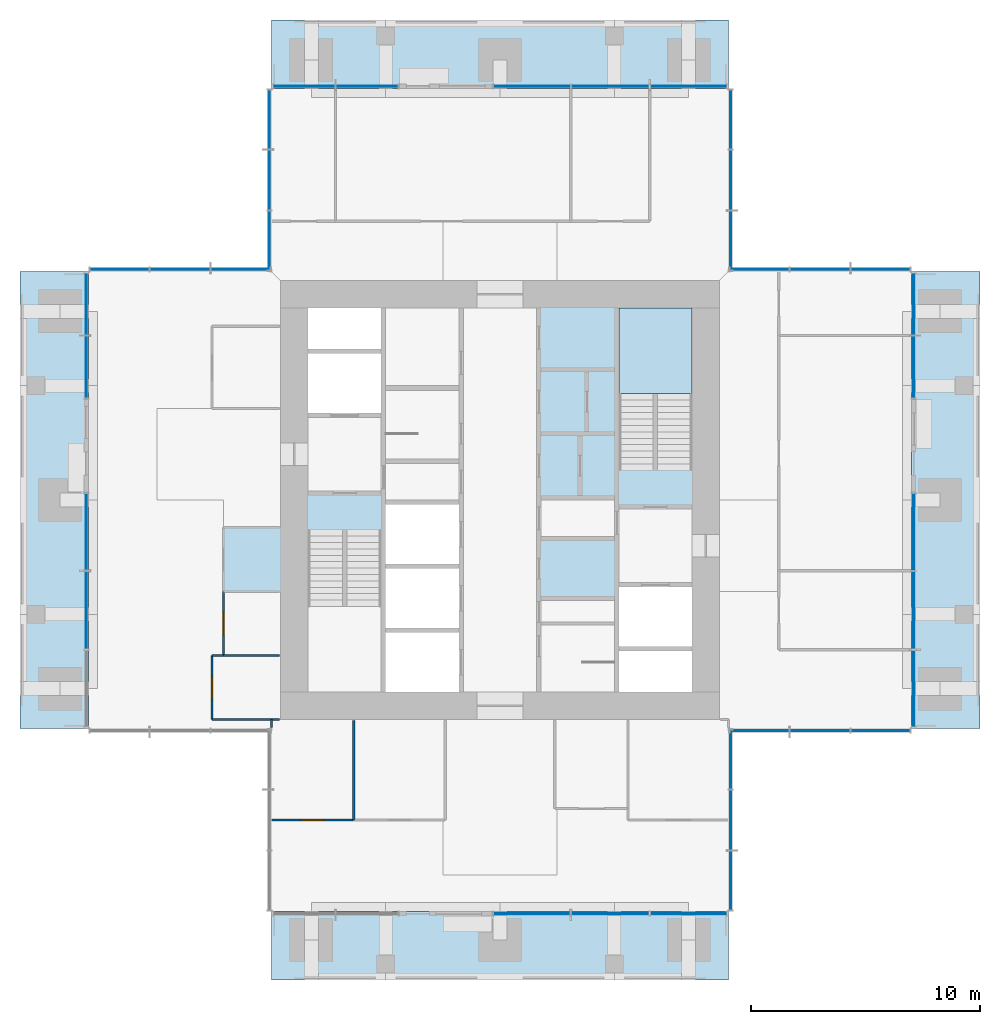
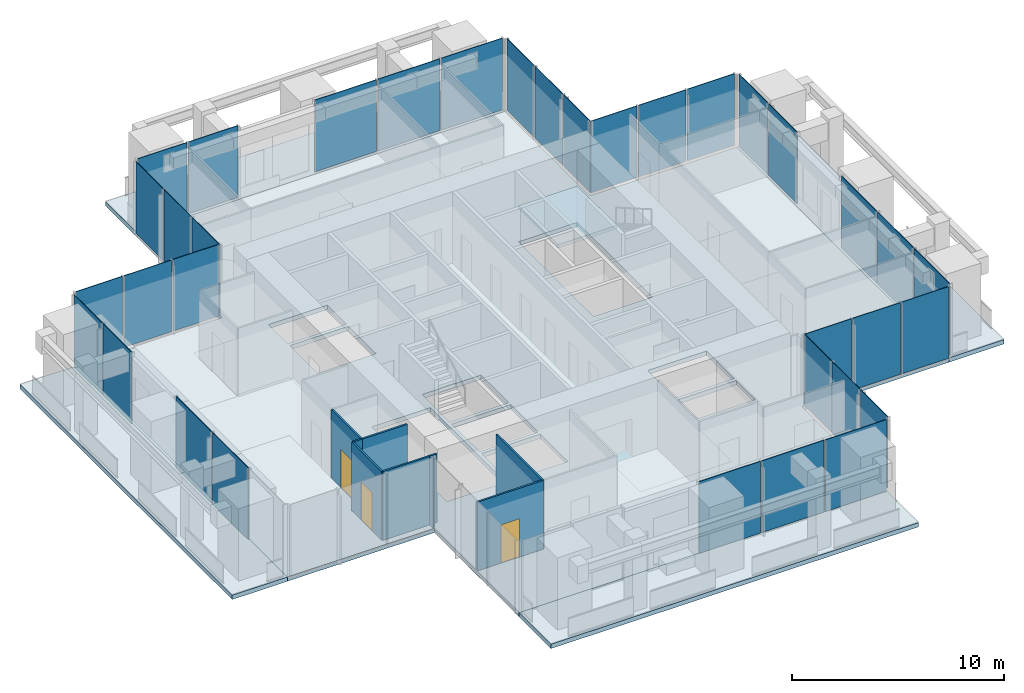
# One storey, part 6 of 12: 35 plates, 9 walls, 6 slabs, 3 doors, 3 openings, 14 elements without a shape of their own.
"""IFC4 building model written with IfcOpenShell, lengths in metres."""

from ifc_helpers import new_model, si_unit, direction, frame, frame_2d, origin, origin_2d, place, context, subcontext, project, spatial, polyline, rectangle, outline, extrude, material, layer, layer_set, type_object, element, fill, aggregate, save


model = new_model("IFC4")

# Units and contexts
model_context = context("Model", 3, precision=1e-05, world=origin(), true_north=direction((0.0, 1.0)))
body_context = subcontext(model_context, "Body", "Model", "MODEL_VIEW")
ifc_project = project(units=[si_unit("LENGTHUNIT", "METRE"), si_unit("AREAUNIT", "SQUARE_METRE"), si_unit("VOLUMEUNIT", "CUBIC_METRE"), si_unit("PLANEANGLEUNIT", "RADIAN"), si_unit("MASSUNIT", "GRAM", prefix="KILO")], contexts=[model_context])

# Site, building, storey
site_placement = place(None, origin())
site = spatial("IfcSite", under=ifc_project, at=site_placement, CompositionType="ELEMENT")
building_placement = place(site_placement, origin())
building = spatial("IfcBuilding", under=site, at=building_placement, Name="Svetlomir Tower", CompositionType="ELEMENT")
storey_placement = place(building_placement, frame((0.0, 0.0, 256.60009765625)))
storey = spatial("IfcBuildingStorey", under=building, at=storey_placement, Name="L61", CompositionType="ELEMENT", Elevation=256.60009765625)

# Curtain wall, plates
ifc_material_1 = material(Name="Bronze anodised aluminium curtain wall", Category="aluminium")
curtain_wall_type = type_object("IfcCurtainWallType", Name="CURTAIN WALL CW4 EXECUTIVE", PredefinedType="NOTDEFINED", material=ifc_material_1)
curtain_wall_1_placement = place(storey_placement, origin())
curtain_wall_1 = element("IfcCurtainWall", 1, at=curtain_wall_1_placement, inside=storey, type_object=curtain_wall_type, Name="Curtain wall CW4 L61", PredefinedType="NOTDEFINED")
ifc_material_2 = material(Name="Tinted double glazed unit", Category="glass")
ifc_layer_1 = layer(ifc_material_2, 0.035888671875)
ifc_layer_set_1 = layer_set([ifc_layer_1], Name="Tinted double glazed unit")
plate_type = type_object("IfcPlateType", Name="CW4 GLAZED PANEL 36", PredefinedType="CURTAIN_PANEL", material=ifc_layer_set_1)
plate_1_placement = place(storey_placement, frame((22.393798828125, 2.89990234375, 0.074951171875), z_axis=(0.0, 0.0, 1.0), x_axis=(1.0, 0.0, 0.0)))
plate_1 = element("IfcPlate", 2, at=plate_1_placement, type_object=plate_type, Name="CW4 panel 1.1", PredefinedType="CURTAIN_PANEL", context=body_context, shape_type="SweptSolid", body=[
    extrude(rectangle(XDim=3.33740234375, YDim=0.035888671875, at=origin_2d()), origin(), (0.0, 0.0, 1.0), 4.125),
])
plate_2_placement = place(storey_placement, frame((25.824951171875, 2.89990234375, 0.074951171875), z_axis=(0.0, 0.0, 1.0), x_axis=(1.0, 0.0, 0.0)))
plate_2 = element("IfcPlate", 3, at=plate_2_placement, type_object=plate_type, Name="CW4 panel 2.1", PredefinedType="CURTAIN_PANEL", context=body_context, shape_type="SweptSolid", body=[
    extrude(rectangle(XDim=3.375, YDim=0.035888671875, at=origin_2d()), origin(), (0.0, 0.0, 1.0), 4.125),
])
plate_3_placement = place(storey_placement, frame((29.25634765625, 2.89990234375, 0.074951171875), z_axis=(0.0, 0.0, 1.0), x_axis=(1.0, 0.0, 0.0)))
plate_3 = element("IfcPlate", 4, at=plate_3_placement, type_object=plate_type, Name="CW4 panel 3.1", PredefinedType="CURTAIN_PANEL", context=body_context, shape_type="SweptSolid", body=[
    extrude(rectangle(XDim=3.33740234375, YDim=0.035888671875, at=origin_2d()), origin(), (0.0, 0.0, 1.0), 4.125),
])
aggregate(curtain_wall_1, [plate_1, plate_2, plate_3])

curtain_wall_2_placement = place(storey_placement, origin())
curtain_wall_2 = element("IfcCurtainWall", 5, at=curtain_wall_2_placement, inside=storey, type_object=curtain_wall_type, Name="Curtain wall CW4 L61", PredefinedType="NOTDEFINED")
plate_4_placement = place(storey_placement, frame((31.10009765625, 4.35205078125, 0.074951171875), z_axis=(0.0, 0.0, 1.0), x_axis=(0.0, 1.0, 0.0)))
plate_4 = element("IfcPlate", 6, at=plate_4_placement, type_object=plate_type, Name="CW4 panel 1.1", PredefinedType="CURTAIN_PANEL", context=body_context, shape_type="SweptSolid", body=[
    extrude(rectangle(XDim=2.55419921875, YDim=0.035888671875, at=origin_2d()), origin(), (0.0, 0.0, 1.0), 4.125),
])
plate_5_placement = place(storey_placement, frame((31.10009765625, 7.0, 0.074951171875), z_axis=(0.0, 0.0, 1.0), x_axis=(0.0, 1.0, 0.0)))
plate_5 = element("IfcPlate", 7, at=plate_5_placement, type_object=plate_type, Name="CW4 panel 2.1", PredefinedType="CURTAIN_PANEL", context=body_context, shape_type="SweptSolid", body=[
    extrude(rectangle(XDim=2.591552734375, YDim=0.035888671875, at=origin_2d()), origin(), (0.0, 0.0, 1.0), 4.125),
])
plate_6_placement = place(storey_placement, frame((31.10009765625, 9.64794921875, 0.074951171875), z_axis=(0.0, 0.0, 1.0), x_axis=(0.0, 1.0, 0.0)))
plate_6 = element("IfcPlate", 8, at=plate_6_placement, type_object=plate_type, Name="CW4 panel 3.1", PredefinedType="CURTAIN_PANEL", context=body_context, shape_type="SweptSolid", body=[
    extrude(rectangle(XDim=2.55419921875, YDim=0.035888671875, at=origin_2d()), origin(), (0.0, 0.0, 1.0), 4.125),
])
aggregate(curtain_wall_2, [plate_4, plate_5, plate_6])

curtain_wall_3_placement = place(storey_placement, origin())
curtain_wall_3 = element("IfcCurtainWall", 9, at=curtain_wall_3_placement, inside=storey, type_object=curtain_wall_type, Name="Curtain wall CW4 L61", PredefinedType="NOTDEFINED")
plate_7_placement = place(storey_placement, frame((32.35205078125, 10.89990234375, 0.074951171875), z_axis=(0.0, 0.0, 1.0), x_axis=(1.0, 0.0, 0.0)))
plate_7 = element("IfcPlate", 10, at=plate_7_placement, type_object=plate_type, Name="CW4 panel 1.1", PredefinedType="CURTAIN_PANEL", context=body_context, shape_type="SweptSolid", body=[
    extrude(rectangle(XDim=2.55419921875, YDim=0.035888671875, at=origin_2d()), origin(), (0.0, 0.0, 1.0), 4.125),
])
plate_8_placement = place(storey_placement, frame((35.0, 10.89990234375, 0.074951171875), z_axis=(0.0, 0.0, 1.0), x_axis=(1.0, 0.0, 0.0)))
plate_8 = element("IfcPlate", 11, at=plate_8_placement, type_object=plate_type, Name="CW4 panel 2.1", PredefinedType="CURTAIN_PANEL", context=body_context, shape_type="SweptSolid", body=[
    extrude(rectangle(XDim=2.591552734375, YDim=0.035888671875, at=origin_2d()), origin(), (0.0, 0.0, 1.0), 4.125),
])
plate_9_placement = place(storey_placement, frame((37.64794921875, 10.89990234375, 0.074951171875), z_axis=(0.0, 0.0, 1.0), x_axis=(1.0, 0.0, 0.0)))
plate_9 = element("IfcPlate", 12, at=plate_9_placement, type_object=plate_type, Name="CW4 panel 3.1", PredefinedType="CURTAIN_PANEL", context=body_context, shape_type="SweptSolid", body=[
    extrude(rectangle(XDim=2.55419921875, YDim=0.035888671875, at=origin_2d()), origin(), (0.0, 0.0, 1.0), 4.125),
])
aggregate(curtain_wall_3, [plate_7, plate_8, plate_9])

curtain_wall_4_placement = place(storey_placement, origin())
curtain_wall_4 = element("IfcCurtainWall", 13, at=curtain_wall_4_placement, inside=storey, type_object=curtain_wall_type, Name="Curtain wall CW4 L61", PredefinedType="NOTDEFINED")
plate_10_placement = place(storey_placement, frame((39.10009765625, 12.74365234375, 0.074951171875), z_axis=(0.0, 0.0, 1.0), x_axis=(0.0, 1.0, 0.0)))
plate_10 = element("IfcPlate", 14, at=plate_10_placement, type_object=plate_type, Name="CW4 panel 1.1", PredefinedType="CURTAIN_PANEL", context=body_context, shape_type="SweptSolid", body=[
    extrude(rectangle(XDim=3.33740234375, YDim=0.035888671875, at=origin_2d()), origin(), (0.0, 0.0, 1.0), 4.125),
])
plate_11_placement = place(storey_placement, frame((39.10009765625, 16.175048828125, 0.074951171875), z_axis=(0.0, 0.0, 1.0), x_axis=(0.0, 1.0, 0.0)))
plate_11 = element("IfcPlate", 15, at=plate_11_placement, type_object=plate_type, Name="CW4 panel 2.1", PredefinedType="CURTAIN_PANEL", context=body_context, shape_type="SweptSolid", body=[
    extrude(rectangle(XDim=3.375, YDim=0.035888671875, at=origin_2d()), origin(), (0.0, 0.0, 1.0), 4.125),
])
plate_12_placement = place(storey_placement, frame((39.10009765625, 19.606201171875, 0.074951171875), z_axis=(0.0, 0.0, 1.0), x_axis=(0.0, 1.0, 0.0)))
plate_12 = element("IfcPlate", 16, at=plate_12_placement, type_object=plate_type, Name="CW4 panel 3.1", PredefinedType="CURTAIN_PANEL", context=body_context, shape_type="SweptSolid", body=[
    extrude(rectangle(XDim=3.33740234375, YDim=0.035888671875, at=origin_2d()), origin(), (0.0, 0.0, 1.0), 4.125),
])
aggregate(curtain_wall_4, [plate_10, plate_11, plate_12])

curtain_wall_5_placement = place(storey_placement, origin())
curtain_wall_5 = element("IfcCurtainWall", 17, at=curtain_wall_5_placement, inside=storey, type_object=curtain_wall_type, Name="Curtain wall CW4 L61", PredefinedType="NOTDEFINED")
plate_13_placement = place(storey_placement, frame((39.10009765625, 26.81884765625, 0.074951171875), z_axis=(0.0, 0.0, 1.0), x_axis=(0.0, 1.0, 0.0)))
plate_13 = element("IfcPlate", 18, at=plate_13_placement, type_object=plate_type, Name="CW4 panel 1.1", PredefinedType="CURTAIN_PANEL", context=body_context, shape_type="SweptSolid", body=[
    extrude(rectangle(XDim=2.6875, YDim=0.035888671875, at=origin_2d()), origin(), (0.0, 0.0, 1.0), 4.125),
])
plate_14_placement = place(storey_placement, frame((39.10009765625, 29.581298828125, 0.074951171875), z_axis=(0.0, 0.0, 1.0), x_axis=(0.0, 1.0, 0.0)))
plate_14 = element("IfcPlate", 19, at=plate_14_placement, type_object=plate_type, Name="CW4 panel 2.1", PredefinedType="CURTAIN_PANEL", context=body_context, shape_type="SweptSolid", body=[
    extrude(rectangle(XDim=2.6875, YDim=0.035888671875, at=origin_2d()), origin(), (0.0, 0.0, 1.0), 4.125),
])
aggregate(curtain_wall_5, [plate_13, plate_14])

curtain_wall_6_placement = place(storey_placement, origin())
curtain_wall_6 = element("IfcCurtainWall", 20, at=curtain_wall_6_placement, inside=storey, type_object=curtain_wall_type, Name="Curtain wall CW4 L61", PredefinedType="NOTDEFINED")
plate_15_placement = place(storey_placement, frame((37.64794921875, 31.10009765625, 0.074951171875), z_axis=(0.0, 0.0, 1.0), x_axis=(-1.0, 0.0, 0.0)))
plate_15 = element("IfcPlate", 21, at=plate_15_placement, type_object=plate_type, Name="CW4 panel 1.1", PredefinedType="CURTAIN_PANEL", context=body_context, shape_type="SweptSolid", body=[
    extrude(rectangle(XDim=2.55419921875, YDim=0.035888671875, at=origin_2d()), origin(), (0.0, 0.0, 1.0), 4.125),
])
plate_16_placement = place(storey_placement, frame((35.0, 31.10009765625, 0.074951171875), z_axis=(0.0, 0.0, 1.0), x_axis=(-1.0, 0.0, 0.0)))
plate_16 = element("IfcPlate", 22, at=plate_16_placement, type_object=plate_type, Name="CW4 panel 2.1", PredefinedType="CURTAIN_PANEL", context=body_context, shape_type="SweptSolid", body=[
    extrude(rectangle(XDim=2.591552734375, YDim=0.035888671875, at=origin_2d()), origin(), (0.0, 0.0, 1.0), 4.125),
])
plate_17_placement = place(storey_placement, frame((32.35205078125, 31.10009765625, 0.074951171875), z_axis=(0.0, 0.0, 1.0), x_axis=(-1.0, 0.0, 0.0)))
plate_17 = element("IfcPlate", 23, at=plate_17_placement, type_object=plate_type, Name="CW4 panel 3.1", PredefinedType="CURTAIN_PANEL", context=body_context, shape_type="SweptSolid", body=[
    extrude(rectangle(XDim=2.55419921875, YDim=0.035888671875, at=origin_2d()), origin(), (0.0, 0.0, 1.0), 4.125),
])
aggregate(curtain_wall_6, [plate_15, plate_16, plate_17])

curtain_wall_7_placement = place(storey_placement, origin())
curtain_wall_7 = element("IfcCurtainWall", 24, at=curtain_wall_7_placement, inside=storey, type_object=curtain_wall_type, Name="Curtain wall CW4 L61", PredefinedType="NOTDEFINED")
plate_18_placement = place(storey_placement, frame((31.10009765625, 32.35205078125, 0.074951171875), z_axis=(0.0, 0.0, 1.0), x_axis=(0.0, 1.0, 0.0)))
plate_18 = element("IfcPlate", 25, at=plate_18_placement, type_object=plate_type, Name="CW4 panel 1.1", PredefinedType="CURTAIN_PANEL", context=body_context, shape_type="SweptSolid", body=[
    extrude(rectangle(XDim=2.55419921875, YDim=0.035888671875, at=origin_2d()), origin(), (0.0, 0.0, 1.0), 4.125),
])
plate_19_placement = place(storey_placement, frame((31.10009765625, 35.0, 0.074951171875), z_axis=(0.0, 0.0, 1.0), x_axis=(0.0, 1.0, 0.0)))
plate_19 = element("IfcPlate", 26, at=plate_19_placement, type_object=plate_type, Name="CW4 panel 2.1", PredefinedType="CURTAIN_PANEL", context=body_context, shape_type="SweptSolid", body=[
    extrude(rectangle(XDim=2.591552734375, YDim=0.035888671875, at=origin_2d()), origin(), (0.0, 0.0, 1.0), 4.125),
])
plate_20_placement = place(storey_placement, frame((31.10009765625, 37.64794921875, 0.074951171875), z_axis=(0.0, 0.0, 1.0), x_axis=(0.0, 1.0, 0.0)))
plate_20 = element("IfcPlate", 27, at=plate_20_placement, type_object=plate_type, Name="CW4 panel 3.1", PredefinedType="CURTAIN_PANEL", context=body_context, shape_type="SweptSolid", body=[
    extrude(rectangle(XDim=2.55419921875, YDim=0.035888671875, at=origin_2d()), origin(), (0.0, 0.0, 1.0), 4.125),
])
aggregate(curtain_wall_7, [plate_18, plate_19, plate_20])

curtain_wall_8_placement = place(storey_placement, origin())
curtain_wall_8 = element("IfcCurtainWall", 28, at=curtain_wall_8_placement, inside=storey, type_object=curtain_wall_type, Name="Curtain wall CW4 L61", PredefinedType="NOTDEFINED")
plate_21_placement = place(storey_placement, frame((29.25634765625, 39.10009765625, 0.074951171875), z_axis=(0.0, 0.0, 1.0), x_axis=(-1.0, 0.0, 0.0)))
plate_21 = element("IfcPlate", 29, at=plate_21_placement, type_object=plate_type, Name="CW4 panel 1.1", PredefinedType="CURTAIN_PANEL", context=body_context, shape_type="SweptSolid", body=[
    extrude(rectangle(XDim=3.33740234375, YDim=0.035888671875, at=origin_2d()), origin(), (0.0, 0.0, 1.0), 4.125),
])
plate_22_placement = place(storey_placement, frame((25.824951171875, 39.10009765625, 0.074951171875), z_axis=(0.0, 0.0, 1.0), x_axis=(-1.0, 0.0, 0.0)))
plate_22 = element("IfcPlate", 30, at=plate_22_placement, type_object=plate_type, Name="CW4 panel 2.1", PredefinedType="CURTAIN_PANEL", context=body_context, shape_type="SweptSolid", body=[
    extrude(rectangle(XDim=3.375, YDim=0.035888671875, at=origin_2d()), origin(), (0.0, 0.0, 1.0), 4.125),
])
plate_23_placement = place(storey_placement, frame((22.393798828125, 39.10009765625, 0.074951171875), z_axis=(0.0, 0.0, 1.0), x_axis=(-1.0, 0.0, 0.0)))
plate_23 = element("IfcPlate", 31, at=plate_23_placement, type_object=plate_type, Name="CW4 panel 3.1", PredefinedType="CURTAIN_PANEL", context=body_context, shape_type="SweptSolid", body=[
    extrude(rectangle(XDim=3.33740234375, YDim=0.035888671875, at=origin_2d()), origin(), (0.0, 0.0, 1.0), 4.125),
])
aggregate(curtain_wall_8, [plate_21, plate_22, plate_23])

curtain_wall_9_placement = place(storey_placement, origin())
curtain_wall_9 = element("IfcCurtainWall", 32, at=curtain_wall_9_placement, inside=storey, type_object=curtain_wall_type, Name="Curtain wall CW4 L61", PredefinedType="NOTDEFINED")
plate_24_placement = place(storey_placement, frame((15.18115234375, 39.10009765625, 0.074951171875), z_axis=(0.0, 0.0, 1.0), x_axis=(-1.0, 0.0, 0.0)))
plate_24 = element("IfcPlate", 33, at=plate_24_placement, type_object=plate_type, Name="CW4 panel 1.1", PredefinedType="CURTAIN_PANEL", context=body_context, shape_type="SweptSolid", body=[
    extrude(rectangle(XDim=2.6875, YDim=0.035888671875, at=origin_2d()), origin(), (0.0, 0.0, 1.0), 4.125),
])
plate_25_placement = place(storey_placement, frame((12.418701171875, 39.10009765625, 0.074951171875), z_axis=(0.0, 0.0, 1.0), x_axis=(-1.0, 0.0, 0.0)))
plate_25 = element("IfcPlate", 34, at=plate_25_placement, type_object=plate_type, Name="CW4 panel 2.1", PredefinedType="CURTAIN_PANEL", context=body_context, shape_type="SweptSolid", body=[
    extrude(rectangle(XDim=2.6875, YDim=0.035888671875, at=origin_2d()), origin(), (0.0, 0.0, 1.0), 4.125),
])
aggregate(curtain_wall_9, [plate_24, plate_25])

curtain_wall_10_placement = place(storey_placement, origin())
curtain_wall_10 = element("IfcCurtainWall", 35, at=curtain_wall_10_placement, inside=storey, type_object=curtain_wall_type, Name="Curtain wall CW4 L61", PredefinedType="NOTDEFINED")
plate_26_placement = place(storey_placement, frame((10.89990234375, 37.64794921875, 0.074951171875), z_axis=(0.0, 0.0, 1.0), x_axis=(0.0, -1.0, 0.0)))
plate_26 = element("IfcPlate", 36, at=plate_26_placement, type_object=plate_type, Name="CW4 panel 1.1", PredefinedType="CURTAIN_PANEL", context=body_context, shape_type="SweptSolid", body=[
    extrude(rectangle(XDim=2.55419921875, YDim=0.035888671875, at=origin_2d()), origin(), (0.0, 0.0, 1.0), 4.125),
])
plate_27_placement = place(storey_placement, frame((10.89990234375, 35.0, 0.074951171875), z_axis=(0.0, 0.0, 1.0), x_axis=(0.0, -1.0, 0.0)))
plate_27 = element("IfcPlate", 37, at=plate_27_placement, type_object=plate_type, Name="CW4 panel 2.1", PredefinedType="CURTAIN_PANEL", context=body_context, shape_type="SweptSolid", body=[
    extrude(rectangle(XDim=2.591552734375, YDim=0.035888671875, at=origin_2d()), origin(), (0.0, 0.0, 1.0), 4.125),
])
plate_28_placement = place(storey_placement, frame((10.89990234375, 32.35205078125, 0.074951171875), z_axis=(0.0, 0.0, 1.0), x_axis=(0.0, -1.0, 0.0)))
plate_28 = element("IfcPlate", 38, at=plate_28_placement, type_object=plate_type, Name="CW4 panel 3.1", PredefinedType="CURTAIN_PANEL", context=body_context, shape_type="SweptSolid", body=[
    extrude(rectangle(XDim=2.55419921875, YDim=0.035888671875, at=origin_2d()), origin(), (0.0, 0.0, 1.0), 4.125),
])
aggregate(curtain_wall_10, [plate_26, plate_27, plate_28])

curtain_wall_11_placement = place(storey_placement, origin())
curtain_wall_11 = element("IfcCurtainWall", 39, at=curtain_wall_11_placement, inside=storey, type_object=curtain_wall_type, Name="Curtain wall CW4 L61", PredefinedType="NOTDEFINED")
plate_29_placement = place(storey_placement, frame((9.64794921875, 31.10009765625, 0.074951171875), z_axis=(0.0, 0.0, 1.0), x_axis=(-1.0, 0.0, 0.0)))
plate_29 = element("IfcPlate", 40, at=plate_29_placement, type_object=plate_type, Name="CW4 panel 1.1", PredefinedType="CURTAIN_PANEL", context=body_context, shape_type="SweptSolid", body=[
    extrude(rectangle(XDim=2.55419921875, YDim=0.035888671875, at=origin_2d()), origin(), (0.0, 0.0, 1.0), 4.125),
])
plate_30_placement = place(storey_placement, frame((7.0, 31.10009765625, 0.074951171875), z_axis=(0.0, 0.0, 1.0), x_axis=(-1.0, 0.0, 0.0)))
plate_30 = element("IfcPlate", 41, at=plate_30_placement, type_object=plate_type, Name="CW4 panel 2.1", PredefinedType="CURTAIN_PANEL", context=body_context, shape_type="SweptSolid", body=[
    extrude(rectangle(XDim=2.591552734375, YDim=0.035888671875, at=origin_2d()), origin(), (0.0, 0.0, 1.0), 4.125),
])
plate_31_placement = place(storey_placement, frame((4.35205078125, 31.10009765625, 0.074951171875), z_axis=(0.0, 0.0, 1.0), x_axis=(-1.0, 0.0, 0.0)))
plate_31 = element("IfcPlate", 42, at=plate_31_placement, type_object=plate_type, Name="CW4 panel 3.1", PredefinedType="CURTAIN_PANEL", context=body_context, shape_type="SweptSolid", body=[
    extrude(rectangle(XDim=2.55419921875, YDim=0.035888671875, at=origin_2d()), origin(), (0.0, 0.0, 1.0), 4.125),
])
aggregate(curtain_wall_11, [plate_29, plate_30, plate_31])

curtain_wall_12_placement = place(storey_placement, origin())
curtain_wall_12 = element("IfcCurtainWall", 43, at=curtain_wall_12_placement, inside=storey, type_object=curtain_wall_type, Name="Curtain wall CW4 L61", PredefinedType="NOTDEFINED")
plate_32_placement = place(storey_placement, frame((2.89990234375, 29.581298828125, 0.074951171875), z_axis=(0.0, 0.0, 1.0), x_axis=(0.0, -1.0, 0.0)))
plate_32 = element("IfcPlate", 44, at=plate_32_placement, type_object=plate_type, Name="CW4 panel 1.1", PredefinedType="CURTAIN_PANEL", context=body_context, shape_type="SweptSolid", body=[
    extrude(rectangle(XDim=2.6875, YDim=0.035888671875, at=origin_2d()), origin(), (0.0, 0.0, 1.0), 4.125),
])
plate_33_placement = place(storey_placement, frame((2.89990234375, 26.81884765625, 0.074951171875), z_axis=(0.0, 0.0, 1.0), x_axis=(0.0, -1.0, 0.0)))
plate_33 = element("IfcPlate", 45, at=plate_33_placement, type_object=plate_type, Name="CW4 panel 2.1", PredefinedType="CURTAIN_PANEL", context=body_context, shape_type="SweptSolid", body=[
    extrude(rectangle(XDim=2.6875, YDim=0.035888671875, at=origin_2d()), origin(), (0.0, 0.0, 1.0), 4.125),
])
aggregate(curtain_wall_12, [plate_32, plate_33])

curtain_wall_13_placement = place(storey_placement, origin())
curtain_wall_13 = element("IfcCurtainWall", 46, at=curtain_wall_13_placement, inside=storey, type_object=curtain_wall_type, Name="Curtain wall CW4 L61", PredefinedType="NOTDEFINED")
plate_34_placement = place(storey_placement, frame((2.89990234375, 19.606201171875, 0.074951171875), z_axis=(0.0, 0.0, 1.0), x_axis=(0.0, -1.0, 0.0)))
plate_34 = element("IfcPlate", 47, at=plate_34_placement, type_object=plate_type, Name="CW4 panel 1.1", PredefinedType="CURTAIN_PANEL", context=body_context, shape_type="SweptSolid", body=[
    extrude(rectangle(XDim=3.33740234375, YDim=0.035888671875, at=origin_2d()), origin(), (0.0, 0.0, 1.0), 4.125),
])
plate_35_placement = place(storey_placement, frame((2.89990234375, 16.175048828125, 0.074951171875), z_axis=(0.0, 0.0, 1.0), x_axis=(0.0, -1.0, 0.0)))
plate_35 = element("IfcPlate", 48, at=plate_35_placement, type_object=plate_type, Name="CW4 panel 2.1", PredefinedType="CURTAIN_PANEL", context=body_context, shape_type="SweptSolid", body=[
    extrude(rectangle(XDim=3.375, YDim=0.035888671875, at=origin_2d()), origin(), (0.0, 0.0, 1.0), 4.125),
])
aggregate(curtain_wall_13, [plate_34, plate_35])

# Slabs
ifc_material_3 = material(Name="Concrete C60/75", Category="concrete")
ifc_layer_2 = layer(ifc_material_3, 0.25)
ifc_layer_set_2 = layer_set([ifc_layer_2], Name="Concrete C60/75")
slab_type_1 = type_object("IfcSlabType", Name="FLOOR SLAB 250", PredefinedType="FLOOR", material=ifc_layer_set_2)
slab_1_placement = place(storey_placement, frame((0.0, 0.0, -0.25)))
element("IfcSlab", 49, at=slab_1_placement, inside=storey, type_object=slab_type_1, Name="L61 floor slab", PredefinedType="FLOOR", context=body_context, shape_type="SweptSolid", body=[
    extrude(outline(polyline([(11.0, 3.0), (31.0, 3.0), (31.0, 11.0), (39.0, 11.0), (39.0, 31.0), (31.0, 31.0), (31.0, 39.0), (11.0, 39.0), (11.0, 31.0), (3.0, 31.0), (3.0, 11.0), (11.0, 11.0), (11.0, 3.0)]), holes=[polyline([(12.60009765625, 24.800048828125), (15.800048828125, 24.800048828125), (15.800048828125, 27.39990234375), (12.60009765625, 27.39990234375), (12.60009765625, 24.800048828125)]), polyline([(26.199951171875, 14.60009765625), (29.39990234375, 14.60009765625), (29.39990234375, 17.199951171875), (26.199951171875, 17.199951171875), (26.199951171875, 14.60009765625)]), polyline([(16.0, 12.60009765625), (19.199951171875, 12.60009765625), (19.199951171875, 15.199951171875), (16.0, 15.199951171875), (16.0, 12.60009765625)]), polyline([(16.0, 15.39990234375), (19.199951171875, 15.39990234375), (19.199951171875, 18.0), (16.0, 18.0), (16.0, 15.39990234375)]), polyline([(16.0, 18.199951171875), (19.199951171875, 18.199951171875), (19.199951171875, 20.800048828125), (16.0, 20.800048828125), (16.0, 18.199951171875)]), polyline([(12.60009765625, 27.60009765625), (15.800048828125, 27.60009765625), (15.800048828125, 29.39990234375), (12.60009765625, 29.39990234375), (12.60009765625, 27.60009765625)]), polyline([(26.199951171875, 12.60009765625), (29.39990234375, 12.60009765625), (29.39990234375, 14.39990234375), (26.199951171875, 14.39990234375), (26.199951171875, 12.60009765625)]), polyline([(12.60009765625, 12.60009765625), (15.800048828125, 12.60009765625), (15.800048828125, 19.679931640625), (12.60009765625, 19.679931640625), (12.60009765625, 12.60009765625)]), polyline([(26.199951171875, 22.320068359375), (29.39990234375, 22.320068359375), (29.39990234375, 29.39990234375), (26.199951171875, 29.39990234375), (26.199951171875, 22.320068359375)])]), origin(), (0.0, 0.0, 1.0), 0.25),
])
ifc_material_4 = material(Name="Concrete C60/75", Category="concrete")
ifc_layer_3 = layer(ifc_material_4, 0.25)
ifc_layer_set_3 = layer_set([ifc_layer_3], Name="Concrete C60/75")
slab_type_2 = type_object("IfcSlabType", Name="PLANTED LOGGIA SLAB 250", PredefinedType="FLOOR", material=ifc_layer_set_3)
slab_2_placement = place(storey_placement, frame((0.0, 0.0, -0.25)))
element("IfcSlab", 50, at=slab_2_placement, inside=storey, type_object=slab_type_2, Name="L61 S planted loggia", PredefinedType="FLOOR", context=body_context, shape_type="SweptSolid", body=[
    extrude(outline(polyline([(11.0, 0.0), (31.0, 0.0), (31.0, 3.0), (11.0, 3.0), (11.0, 0.0)])), origin(), (0.0, 0.0, 1.0), 0.25),
])
slab_3_placement = place(storey_placement, frame((0.0, 0.0, -0.25)))
element("IfcSlab", 51, at=slab_3_placement, inside=storey, type_object=slab_type_2, Name="L61 E planted loggia", PredefinedType="FLOOR", context=body_context, shape_type="SweptSolid", body=[
    extrude(outline(polyline([(39.0, 11.0), (42.0, 11.0), (42.0, 31.0), (39.0, 31.0), (39.0, 11.0)])), origin(), (0.0, 0.0, 1.0), 0.25),
])
slab_4_placement = place(storey_placement, frame((0.0, 0.0, -0.25)))
element("IfcSlab", 52, at=slab_4_placement, inside=storey, type_object=slab_type_2, Name="L61 N planted loggia", PredefinedType="FLOOR", context=body_context, shape_type="SweptSolid", body=[
    extrude(outline(polyline([(11.0, 39.0), (31.0, 39.0), (31.0, 42.0), (11.0, 42.0), (11.0, 39.0)])), origin(), (0.0, 0.0, 1.0), 0.25),
])
slab_5_placement = place(storey_placement, frame((0.0, 0.0, -0.25)))
element("IfcSlab", 53, at=slab_5_placement, inside=storey, type_object=slab_type_2, Name="L61 W planted loggia", PredefinedType="FLOOR", context=body_context, shape_type="SweptSolid", body=[
    extrude(outline(polyline([(0.0, 11.0), (3.0, 11.0), (3.0, 31.0), (0.0, 31.0), (0.0, 11.0)])), origin(), (0.0, 0.0, 1.0), 0.25),
])

# Stair, slab
ifc_material_5 = material(Name="Concrete C60/75", Category="concrete")
stair_type = type_object("IfcStairType", Name="EXIT STAIR 3200 RISE 4200", PredefinedType="HALF_TURN_STAIR", material=ifc_material_5)
stair_placement = place(storey_placement, origin())
stair = element("IfcStair", 54, at=stair_placement, inside=storey, type_object=stair_type, Name="Stair S2 L61 to L62", PredefinedType="HALF_TURN_STAIR")
ifc_material_6 = material(Name="Concrete C60/75", Category="concrete")
ifc_layer_4 = layer(ifc_material_6, 0.199951171875)
ifc_layer_set_4 = layer_set([ifc_layer_4], Name="Concrete C60/75")
slab_type_3 = type_object("IfcSlabType", Name="STAIR LANDING 200", PredefinedType="LANDING", material=ifc_layer_set_4)
slab_6_placement = place(storey_placement, frame((0.0, 0.0, 1.89990234375)))
slab_6 = element("IfcSlab", 55, at=slab_6_placement, type_object=slab_type_3, Name="S2 landing 1", PredefinedType="LANDING", context=body_context, shape_type="SweptSolid", body=[
    extrude(outline(polyline([(26.199951171875, 25.659912109375), (29.39990234375, 25.659912109375), (29.39990234375, 29.39990234375), (26.199951171875, 29.39990234375), (26.199951171875, 25.659912109375)])), origin(), (0.0, 0.0, 1.0), 0.199951171875),
])
aggregate(stair, [slab_6])

# Wall, opening, door
ifc_material_7 = material(Name="Framed laminated glass partition", Category="glass")
ifc_layer_5 = layer(ifc_material_7, 0.10009765625)
ifc_layer_set_5 = layer_set([ifc_layer_5], Name="Framed laminated glass partition")
wall_type = type_object("IfcWallType", Name="GLAZED PARTITION 100", PredefinedType="PARTITIONING", material=ifc_layer_set_5)
wall_1_placement = place(storey_placement, frame((8.39990234375, 11.39990234375, 0.0), z_axis=(0.0, 0.0, 1.0), x_axis=(0.0, 1.0, 0.0)))
wall_1 = element("IfcWall", 56, at=wall_1_placement, inside=storey, type_object=wall_type, Name="Glazed partition L61", PredefinedType="PARTITIONING", context=body_context, shape_type="SweptSolid", body=[
    extrude(rectangle(XDim=2.800048828125, YDim=0.10009765625, at=frame_2d((1.39990234375, 0.0))), origin(), (0.0, 0.0, 1.0), 3.949951171875),
])
opening_1_placement = place(wall_1_placement, frame((0.89990234375, 0.0, 0.0)))
opening_1 = element("IfcOpeningElement", 57, at=opening_1_placement, cuts=wall_1, Name="Opening DR", PredefinedType="OPENING", context=body_context, shape_type="SweptSolid", body=[
    extrude(rectangle(XDim=1.0, YDim=2.199951171875, at=frame_2d((0.5, 1.10009765625))), frame((0.0, 0.06005859375, 0.0), z_axis=(0.0, -1.0, 0.0), x_axis=(1.0, 0.0, 0.0)), (0.0, 0.0, 1.0), 0.1201171875),
])
ifc_material_8 = material(Name="Timber door, glazed side light", Category="wood")
door_type = type_object("IfcDoorType", Name="DOOR DR 1000x2200", OperationType="SINGLE_SWING_LEFT", PredefinedType="DOOR", material=ifc_material_8)
door_1_placement = place(opening_1_placement, origin())
door_1 = element("IfcDoor", 58, at=door_1_placement, inside=storey, type_object=door_type, Name="Focus room door L61", OperationType="SINGLE_SWING_LEFT", OverallHeight=2.199951171875, OverallWidth=1.0, PredefinedType="DOOR", context=body_context, shape_type="SweptSolid", body=[
    extrude(rectangle(XDim=1.0, YDim=2.199951171875, at=frame_2d((0.5, 1.10009765625))), frame((0.0, 0.02490234375, 0.0), z_axis=(0.0, -1.0, 0.0), x_axis=(1.0, 0.0, 0.0)), (0.0, 0.0, 1.0), 0.050048828125),
])
fill(opening_1, door_1)

# Walls
wall_2_placement = place(storey_placement, frame((8.39990234375, 11.39990234375, 0.0), z_axis=(0.0, 0.0, 1.0), x_axis=(1.0, 0.0, 0.0)))
element("IfcWall", 59, at=wall_2_placement, inside=storey, type_object=wall_type, Name="Glazed partition L61", PredefinedType="PARTITIONING", context=body_context, shape_type="SweptSolid", body=[
    extrude(rectangle(XDim=2.60009765625, YDim=0.10009765625, at=frame_2d((1.300048828125, 0.0))), origin(), (0.0, 0.0, 1.0), 3.949951171875),
])
wall_3_placement = place(storey_placement, frame((8.39990234375, 14.199951171875, 0.0), z_axis=(0.0, 0.0, 1.0), x_axis=(1.0, 0.0, 0.0)))
element("IfcWall", 60, at=wall_3_placement, inside=storey, type_object=wall_type, Name="Glazed partition L61", PredefinedType="PARTITIONING", context=body_context, shape_type="SweptSolid", body=[
    extrude(rectangle(XDim=0.5, YDim=0.10009765625, at=frame_2d((0.25, 0.0))), origin(), (0.0, 0.0, 1.0), 3.949951171875),
])

# Wall, opening, door
wall_4_placement = place(storey_placement, frame((8.89990234375, 14.199951171875, 0.0), z_axis=(0.0, 0.0, 1.0), x_axis=(0.0, 1.0, 0.0)))
wall_4 = element("IfcWall", 61, at=wall_4_placement, inside=storey, type_object=wall_type, Name="Partition L61", PredefinedType="PARTITIONING", context=body_context, shape_type="SweptSolid", body=[
    extrude(rectangle(XDim=2.800048828125, YDim=0.10009765625, at=frame_2d((1.39990234375, 0.0))), origin(), (0.0, 0.0, 1.0), 3.949951171875),
])
opening_2_placement = place(wall_4_placement, frame((0.89990234375, 0.0, 0.0)))
opening_2 = element("IfcOpeningElement", 62, at=opening_2_placement, cuts=wall_4, Name="Opening DR", PredefinedType="OPENING", context=body_context, shape_type="SweptSolid", body=[
    extrude(rectangle(XDim=1.0, YDim=2.199951171875, at=frame_2d((0.5, 1.10009765625))), frame((0.0, 0.06005859375, 0.0), z_axis=(0.0, -1.0, 0.0), x_axis=(1.0, 0.0, 0.0)), (0.0, 0.0, 1.0), 0.1201171875),
])
door_2_placement = place(opening_2_placement, origin())
door_2 = element("IfcDoor", 63, at=door_2_placement, inside=storey, type_object=door_type, Name="Print and copy room door L61", OperationType="SINGLE_SWING_RIGHT", OverallHeight=2.199951171875, OverallWidth=1.0, PredefinedType="DOOR", context=body_context, shape_type="SweptSolid", body=[
    extrude(rectangle(XDim=1.0, YDim=2.199951171875, at=frame_2d((0.5, 1.10009765625))), frame((0.0, 0.02490234375, 0.0), z_axis=(0.0, -1.0, 0.0), x_axis=(1.0, 0.0, 0.0)), (0.0, 0.0, 1.0), 0.050048828125),
])
fill(opening_2, door_2)

# Wall
wall_5_placement = place(storey_placement, frame((8.89990234375, 14.199951171875, 0.0), z_axis=(0.0, 0.0, 1.0), x_axis=(1.0, 0.0, 0.0)))
element("IfcWall", 64, at=wall_5_placement, inside=storey, type_object=wall_type, Name="Partition L61", PredefinedType="PARTITIONING", context=body_context, shape_type="SweptSolid", body=[
    extrude(rectangle(XDim=2.4501953125, YDim=0.10009765625, at=frame_2d((1.22509765625, 0.0))), origin(), (0.0, 0.0, 1.0), 3.949951171875),
])

# Wall, opening, door
wall_6_placement = place(storey_placement, frame((11.0, 7.0, 0.0), z_axis=(0.0, 0.0, 1.0), x_axis=(1.0, 0.0, 0.0)))
wall_6 = element("IfcWall", 65, at=wall_6_placement, inside=storey, type_object=wall_type, Name="Partition L61", PredefinedType="PARTITIONING", context=body_context, shape_type="SweptSolid", body=[
    extrude(rectangle(XDim=3.60009765625, YDim=0.10009765625, at=frame_2d((1.800048828125, 0.0))), origin(), (0.0, 0.0, 1.0), 3.949951171875),
])
opening_3_placement = place(wall_6_placement, frame((1.300048828125, 0.0, 0.0)))
opening_3 = element("IfcOpeningElement", 66, at=opening_3_placement, cuts=wall_6, Name="Opening DR", PredefinedType="OPENING", context=body_context, shape_type="SweptSolid", body=[
    extrude(rectangle(XDim=1.0, YDim=2.199951171875, at=frame_2d((0.5, 1.10009765625))), frame((0.0, 0.06005859375, 0.0), z_axis=(0.0, -1.0, 0.0), x_axis=(1.0, 0.0, 0.0)), (0.0, 0.0, 1.0), 0.1201171875),
])
door_3_placement = place(opening_3_placement, origin())
door_3 = element("IfcDoor", 67, at=door_3_placement, inside=storey, type_object=door_type, Name="PA office 1 door L61", OperationType="SINGLE_SWING_RIGHT", OverallHeight=2.199951171875, OverallWidth=1.0, PredefinedType="DOOR", context=body_context, shape_type="SweptSolid", body=[
    extrude(rectangle(XDim=1.0, YDim=2.199951171875, at=frame_2d((0.5, 1.10009765625))), frame((0.0, 0.02490234375, 0.0), z_axis=(0.0, -1.0, 0.0), x_axis=(1.0, 0.0, 0.0)), (0.0, 0.0, 1.0), 0.050048828125),
])
fill(opening_3, door_3)

# Walls
wall_7_placement = place(storey_placement, frame((11.0, 11.050048828125, 0.0), z_axis=(0.0, 0.0, 1.0), x_axis=(0.0, 1.0, 0.0)))
element("IfcWall", 68, at=wall_7_placement, inside=storey, type_object=wall_type, Name="Partition L61", PredefinedType="PARTITIONING", context=body_context, shape_type="SweptSolid", body=[
    extrude(rectangle(XDim=0.349853515625, YDim=0.10009765625, at=frame_2d((0.1748046875, 0.0))), origin(), (0.0, 0.0, 1.0), 3.949951171875),
])
wall_8_placement = place(storey_placement, frame((11.0, 11.39990234375, 0.0), z_axis=(0.0, 0.0, 1.0), x_axis=(1.0, 0.0, 0.0)))
element("IfcWall", 69, at=wall_8_placement, inside=storey, type_object=wall_type, Name="Partition L61", PredefinedType="PARTITIONING", context=body_context, shape_type="SweptSolid", body=[
    extrude(rectangle(XDim=0.35009765625, YDim=0.10009765625, at=frame_2d((0.175048828125, 0.0))), origin(), (0.0, 0.0, 1.0), 3.949951171875),
])
wall_9_placement = place(storey_placement, frame((14.60009765625, 7.0, 0.0), z_axis=(0.0, 0.0, 1.0), x_axis=(0.0, 1.0, 0.0)))
element("IfcWall", 70, at=wall_9_placement, inside=storey, type_object=wall_type, Name="Partition L61", PredefinedType="PARTITIONING", context=body_context, shape_type="SweptSolid", body=[
    extrude(rectangle(XDim=4.35009765625, YDim=0.10009765625, at=frame_2d((2.175048828125, 0.0))), origin(), (0.0, 0.0, 1.0), 3.949951171875),
])

save(model, "model.ifc")
